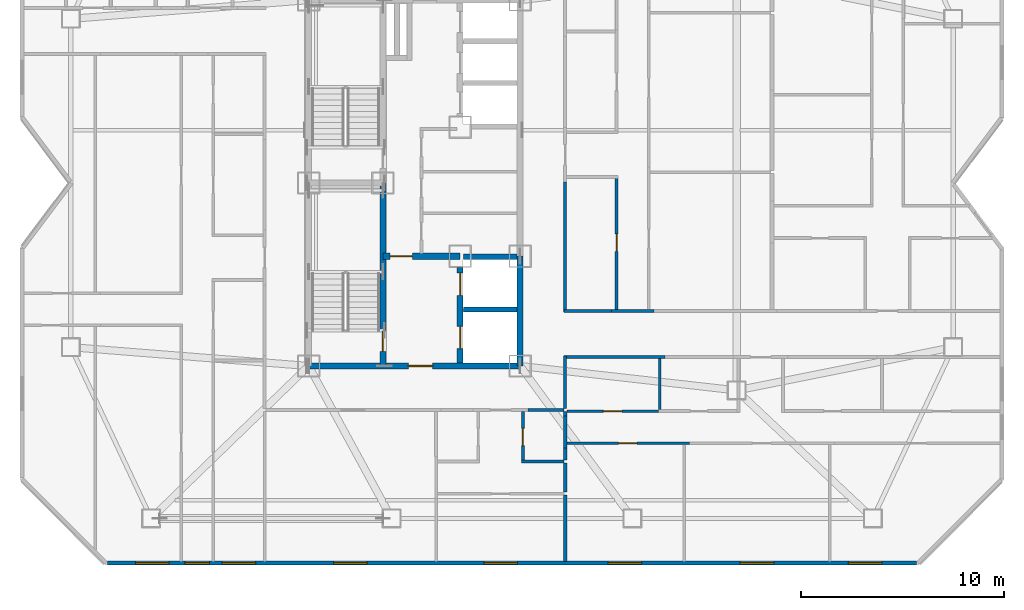
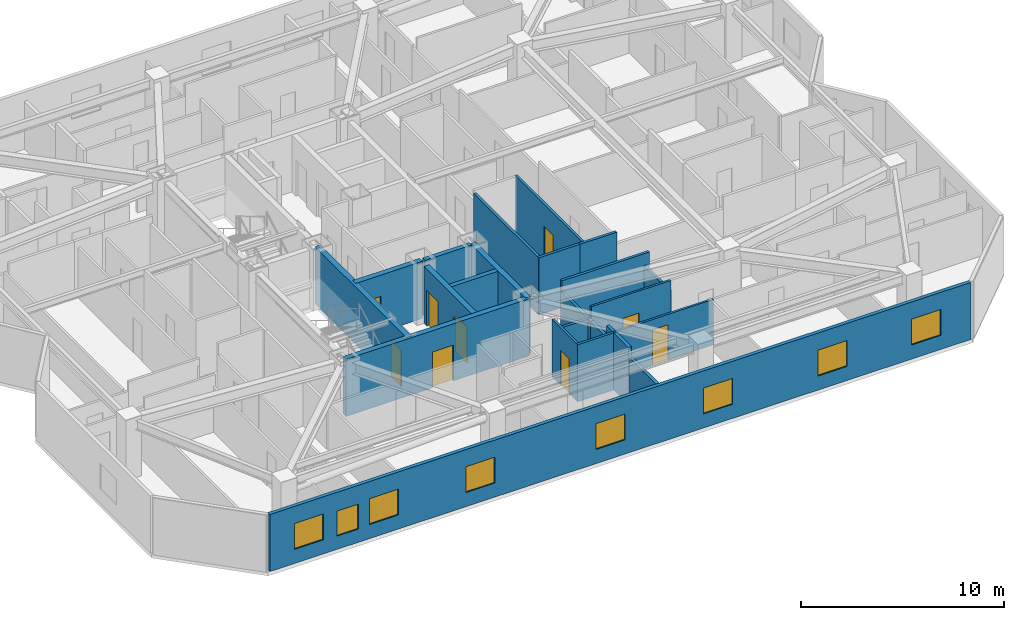
# One storey, part 6 of 13: 25 walls, 9 doors, 8 windows, 17 openings.
"""IFC4 building model written with IfcOpenShell, lengths in metres."""

import ifcopenshell
import ifcopenshell.guid

model = None  # the IFC model being written
_history = None  # IfcOwnerHistory: only IFC2X3 demands one
_inside = {}  # id of a spatial element -> (the spatial element, [elements in it])
_under = {}  # id of a project, library or spatial element -> (it, [spatial elements below it])
_declared = {}  # id of a project -> (the project, [libraries it declares])
_typed = {}  # id of a type object -> (the type object, [elements of that type])
_made_of = {}  # id of a material, layer set ... -> (it, [elements and type objects made of it])


def new_model(schema):
    """Start an empty IFC model of exactly this schema.

    Asked for "IFC4X3", IfcOpenShell would pick the latest addendum, in which some entities
    have other attributes; the version numbers below select the first issue.
    IFC2X3 requires an IfcOwnerHistory on every rooted entity: one is made here for all.
    """
    global model, _history
    if schema == "IFC4X3":
        model = ifcopenshell.file(schema_version=(4, 3, 0, 0))
    else:
        model = ifcopenshell.file(schema=schema)
    _inside.clear()
    _under.clear()
    _declared.clear()
    _typed.clear()
    _made_of.clear()
    _history = None
    if model.schema == "IFC2X3":
        org = make("IfcOrganization", Name="unknown")
        user = make(
            "IfcPersonAndOrganization",
            ThePerson=make("IfcPerson", FamilyName="unknown"),
            TheOrganization=org,
        )
        app = make(
            "IfcApplication",
            ApplicationDeveloper=org,
            Version="unknown",
            ApplicationFullName="unknown",
            ApplicationIdentifier="unknown",
        )
        _history = make(
            "IfcOwnerHistory",
            OwningUser=user,
            OwningApplication=app,
            ChangeAction="ADDED",
            CreationDate=0,
        )
    return model


def make(cls, **values):
    """One entity of the class cls with the attributes given. An attribute that is None is left unset."""
    return model.create_entity(
        cls, **{name: value for name, value in values.items() if value is not None}
    )


def rooted(cls, **values):
    """An entity with a GlobalId (a new one), such as an element, a storey or a relation."""
    return make(cls, GlobalId=ifcopenshell.guid.new(), OwnerHistory=_history, **values)


def si_unit(unit_type, name, prefix=None):
    """IfcSIUnit, for example si_unit("LENGTHUNIT", "METRE", prefix="MILLI")."""
    return make("IfcSIUnit", UnitType=unit_type, Prefix=prefix, Name=name)


def assignment(units):
    """IfcUnitAssignment: the units of a project."""
    return None if units is None else make("IfcUnitAssignment", Units=units)


def point(xyz):
    """IfcCartesianPoint."""
    return None if xyz is None else make("IfcCartesianPoint", Coordinates=xyz)


def direction(xyz):
    """IfcDirection."""
    return None if xyz is None else make("IfcDirection", DirectionRatios=xyz)


def frame(location, z_axis=None, x_axis=None):
    """IfcAxis2Placement3D, a coordinate frame: its origin and axes. An axis left out is left unset."""
    return make(
        "IfcAxis2Placement3D",
        Location=point(location),
        Axis=direction(z_axis),
        RefDirection=direction(x_axis),
    )


def frame_2d(location, x_axis=None):
    """IfcAxis2Placement2D, a coordinate frame in the plane: its origin and x axis."""
    return make(
        "IfcAxis2Placement2D", Location=point(location), RefDirection=direction(x_axis)
    )


def origin():
    """The frame at (0, 0, 0) with its axes left unset."""
    return frame((0.0, 0.0, 0.0))


def place(relative_to, where):
    """IfcLocalPlacement: puts the frame where relative to a parent placement (None: the world)."""
    return make(
        "IfcLocalPlacement", PlacementRelTo=relative_to, RelativePlacement=where
    )


def context(
    kind, dimensions, precision=None, world=None, true_north=None, identifier=None
):
    """IfcGeometricRepresentationContext, for example the 3D "Model" context."""
    return make(
        "IfcGeometricRepresentationContext",
        ContextIdentifier=identifier,
        ContextType=kind,
        CoordinateSpaceDimension=dimensions,
        Precision=precision,
        WorldCoordinateSystem=world,
        TrueNorth=true_north,
    )


def subcontext(parent, identifier, kind, view, scale=None):
    """IfcGeometricRepresentationSubContext, for example "Body" below "Model"."""
    return make(
        "IfcGeometricRepresentationSubContext",
        ContextIdentifier=identifier,
        ContextType=kind,
        ParentContext=parent,
        TargetScale=scale,
        TargetView=view,
    )


def project(units=None, contexts=None):
    """IfcProject with its units and contexts."""
    return rooted(
        "IfcProject",
        Name="project",
        RepresentationContexts=contexts,
        UnitsInContext=assignment(units),
    )


def spatial(cls, under=None, at=None, **own):
    """A site, building, storey or space (cls), placed at a placement, below another one or the project."""
    s = rooted(cls, ObjectPlacement=at, **own)
    if under is not None:
        _under.setdefault(under.id(), (under, []))[1].append(s)
    return s


def profile(cls, at=None, kind="AREA", **sizes):
    """A parametric profile (cls). Its sizes go by their IFC names, for example OverallWidth=200.0."""
    return make(cls, ProfileType=kind, Position=at, **sizes)


def rectangle(**sizes):
    """IfcRectangleProfileDef."""
    return profile("IfcRectangleProfileDef", **sizes)


def extrude(swept, where, along, depth):
    """IfcExtrudedAreaSolid: the profile swept, set in the frame where, extruded along a direction by depth."""
    return make(
        "IfcExtrudedAreaSolid",
        SweptArea=swept,
        Position=where,
        ExtrudedDirection=direction(along),
        Depth=depth,
    )


def shape(context_of_items, identifier, shape_type, items):
    """IfcShapeRepresentation: the items that make up one representation, for example the "Body"."""
    return make(
        "IfcShapeRepresentation",
        ContextOfItems=context_of_items,
        RepresentationIdentifier=identifier,
        RepresentationType=shape_type,
        Items=items,
    )


def material(Name=None, Category=None):
    """IfcMaterial."""
    return make("IfcMaterial", Name=Name, Category=Category)


def layer(
    of_material, thickness, ventilated=None, Name=None, Category=None, Priority=None
):
    """IfcMaterialLayer: one layer of a wall or slab, of a material (None: an air gap)."""
    return make(
        "IfcMaterialLayer",
        Material=of_material,
        LayerThickness=thickness,
        IsVentilated=ventilated,
        Name=Name,
        Category=Category,
        Priority=Priority,
    )


def layer_set(layers, Name=None):
    """IfcMaterialLayerSet."""
    return make("IfcMaterialLayerSet", MaterialLayers=layers, LayerSetName=Name)


def made_of(thing, what):
    """Note that an element or type object is made of a material, layer set ...; save() writes the relation."""
    if what is not None:
        _made_of.setdefault(what.id(), (what, []))[1].append(thing)
    return thing


def type_object(cls, material=None, **own):
    """A type object (cls), such as IfcWallType, which elements share."""
    return made_of(rooted(cls, **own), material)


def element(
    cls,
    number,
    at=None,
    inside=None,
    cuts=None,
    type_object=None,
    material=None,
    context=None,
    identifier="Body",
    shape_type=None,
    held_by="IfcProductDefinitionShape",
    body=None,
    shapes=None,
    **own,
):
    """One element of the class cls, such as IfcWall. Its Tag is "e" and its number.

    at: its placement. inside: the storey or other place that contains it. cuts: it is an
    opening in that element (IfcRelVoidsElement). A single representation is given by context,
    identifier, shape_type and body (its items); several are given by shapes. held_by: the class
    of the entity that holds the representations. save() writes the other relations.
    """
    e = rooted(cls, Tag="e%d" % number, ObjectPlacement=at, **own)
    if body is not None:
        shapes = [shape(context, identifier, shape_type, body)]
    if shapes is not None:
        e.Representation = make(held_by, Representations=shapes)
    if inside is not None:
        _inside.setdefault(inside.id(), (inside, []))[1].append(e)
    if cuts is not None:
        rooted(
            "IfcRelVoidsElement", RelatingBuildingElement=cuts, RelatedOpeningElement=e
        )
    if type_object is not None:
        _typed.setdefault(type_object.id(), (type_object, []))[1].append(e)
    return made_of(e, material)


def fill(opening, filler):
    """IfcRelFillsElement: the door or window that sits in an opening."""
    return rooted(
        "IfcRelFillsElement",
        RelatingOpeningElement=opening,
        RelatedBuildingElement=filler,
    )


def aggregate(whole, parts):
    """IfcRelAggregates: a whole, such as a stair, and the parts it consists of."""
    return rooted("IfcRelAggregates", RelatingObject=whole, RelatedObjects=parts)


def save(model, path):
    """Write the relations noted so far, then the file.

    IfcRelAggregates (storeys below a building ...), IfcRelContainedInSpatialStructure (elements
    in a storey), IfcRelDefinesByType, IfcRelAssociatesMaterial and IfcRelDeclares: one each for
    every whole, place, type object, material and project.
    """
    for whole, parts in _under.values():
        aggregate(whole, parts)
    for where, things in _inside.values():
        rooted(
            "IfcRelContainedInSpatialStructure",
            RelatedElements=things,
            RelatingStructure=where,
        )
    for kind, things in _typed.values():
        rooted("IfcRelDefinesByType", RelatedObjects=things, RelatingType=kind)
    for what, things in _made_of.values():
        rooted("IfcRelAssociatesMaterial", RelatedObjects=things, RelatingMaterial=what)
    for by, libraries in _declared.values():
        rooted("IfcRelDeclares", RelatingContext=by, RelatedDefinitions=libraries)
    model.write(path)


model = new_model("IFC4")

# Units and contexts
model_context = context("Model", 3, precision=1e-05, world=origin(), true_north=direction((0.0, 1.0)))
body_context = subcontext(model_context, "Body", "Model", "MODEL_VIEW")
ifc_project = project(units=[si_unit("LENGTHUNIT", "METRE"), si_unit("AREAUNIT", "SQUARE_METRE"), si_unit("VOLUMEUNIT", "CUBIC_METRE"), si_unit("PLANEANGLEUNIT", "RADIAN"), si_unit("MASSUNIT", "GRAM", prefix="KILO")], contexts=[model_context])

# Site, building, storey
site_placement = place(None, origin())
site = spatial("IfcSite", under=ifc_project, at=site_placement, CompositionType="ELEMENT")
building_placement = place(site_placement, origin())
building = spatial("IfcBuilding", under=site, at=building_placement, Name="Khamvora Tower", CompositionType="ELEMENT")
storey_placement = place(building_placement, frame((0.0, 0.0, 196.050048828125)))
storey = spatial("IfcBuildingStorey", under=building, at=storey_placement, Name="L50", CompositionType="ELEMENT", Elevation=196.050048828125)

# Wall, opening, door
ifc_material_1 = material(Name="Concrete C50/60", Category="concrete")
ifc_layer_1 = layer(ifc_material_1, 0.300048828125)
ifc_layer_set_1 = layer_set([ifc_layer_1], Name="Concrete C50/60")
wall_type_1 = type_object("IfcWallType", Name="WAL-CORE-300", PredefinedType="SHEAR", material=ifc_layer_set_1)
wall_1_placement = place(storey_placement, frame((29.0, 19.0, 0.0), z_axis=(0.0, 0.0, 1.0), x_axis=(1.0, 0.0, 0.0)))
wall_1 = element("IfcWall", 1, at=wall_1_placement, inside=storey, type_object=wall_type_1, Name="L50 central core south wall", PredefinedType="SHEAR", context=body_context, shape_type="SweptSolid", body=[
    extrude(rectangle(XDim=10.39990234375, YDim=0.300048828125, at=frame_2d((5.199951171875, 0.0))), origin(), (0.0, 0.0, 1.0), 3.429931640625),
])
opening_1_placement = place(wall_1_placement, frame((4.89990234375, 0.0, 0.0)))
opening_1 = element("IfcOpeningElement", 2, at=opening_1_placement, cuts=wall_1, Name="Opening D-CR1", PredefinedType="OPENING", context=body_context, shape_type="SweptSolid", body=[
    extrude(rectangle(XDim=1.199951171875, YDim=2.14990234375, at=frame_2d((0.60009765625, 1.074951171875))), frame((0.0, 0.159912109375, 0.0), z_axis=(0.0, -1.0, 0.0), x_axis=(1.0, 0.0, 0.0)), (0.0, 0.0, 1.0), 0.320068359375),
])
ifc_material_2 = material(Name="Powder-Coated Steel and Hardwood Leaf", Category="steel")
door_type_1 = type_object("IfcDoorType", Name="DOR-CORR-1200", OperationType="NOTDEFINED", PredefinedType="DOOR", material=ifc_material_2)
door_1_placement = place(opening_1_placement, origin())
door_1 = element("IfcDoor", 3, at=door_1_placement, inside=storey, type_object=door_type_1, Name="L50 south core lobby to corridor fire door", OperationType="SINGLE_SWING_LEFT", OverallHeight=2.14990234375, OverallWidth=1.199951171875, PredefinedType="DOOR", context=body_context, shape_type="SweptSolid", body=[
    extrude(rectangle(XDim=1.199951171875, YDim=2.14990234375, at=frame_2d((0.60009765625, 1.074951171875))), frame((0.0, 0.02490234375, 0.0), z_axis=(0.0, -1.0, 0.0), x_axis=(1.0, 0.0, 0.0)), (0.0, 0.0, 1.0), 0.050048828125),
])
fill(opening_1, door_1)

# Wall
wall_2_placement = place(storey_placement, frame((39.39990234375, 19.0, 0.0), z_axis=(0.0, 0.0, 1.0), x_axis=(0.0, 1.0, 0.0)))
element("IfcWall", 4, at=wall_2_placement, inside=storey, type_object=wall_type_1, Name="L50 central core east south wall", PredefinedType="SHEAR", context=body_context, shape_type="SweptSolid", body=[
    extrude(rectangle(XDim=5.39990234375, YDim=0.300048828125, at=frame_2d((2.699951171875, 0.0))), origin(), (0.0, 0.0, 1.0), 3.429931640625),
])

# Wall, opening, door
wall_3_placement = place(storey_placement, frame((32.64990234375, 19.0, 0.0), z_axis=(0.0, 0.0, 1.0), x_axis=(0.0, 1.0, 0.0)))
wall_3 = element("IfcWall", 5, at=wall_3_placement, inside=storey, type_object=wall_type_1, Name="L50 central core stair south spine wall", PredefinedType="SHEAR", context=body_context, shape_type="SweptSolid", body=[
    extrude(rectangle(XDim=9.0, YDim=0.300048828125, at=frame_2d((4.5, 0.0))), origin(), (0.0, 0.0, 1.0), 3.429931640625),
])
opening_2_placement = place(wall_3_placement, frame((0.719970703125, 0.0, 0.0)))
opening_2 = element("IfcOpeningElement", 6, at=opening_2_placement, cuts=wall_3, Name="Opening D-ST1", PredefinedType="OPENING", context=body_context, shape_type="SweptSolid", body=[
    extrude(rectangle(XDim=1.0, YDim=2.14990234375, at=frame_2d((0.5, 1.074951171875))), frame((0.0, 0.159912109375, 0.0), z_axis=(0.0, -1.0, 0.0), x_axis=(1.0, 0.0, 0.0)), (0.0, 0.0, 1.0), 0.320068359375),
])
door_type_2 = type_object("IfcDoorType", Name="DOR-STAIR-1000", OperationType="NOTDEFINED", PredefinedType="DOOR", material=ifc_material_2)
door_2_placement = place(opening_2_placement, origin())
door_2 = element("IfcDoor", 7, at=door_2_placement, inside=storey, type_object=door_type_2, Name="L50 exit stair ST-01 fire door", OperationType="SINGLE_SWING_RIGHT", OverallHeight=2.14990234375, OverallWidth=1.0, PredefinedType="DOOR", context=body_context, shape_type="SweptSolid", body=[
    extrude(rectangle(XDim=1.0, YDim=2.14990234375, at=frame_2d((0.5, 1.074951171875))), frame((0.0, 0.02490234375, 0.0), z_axis=(0.0, -1.0, 0.0), x_axis=(1.0, 0.0, 0.0)), (0.0, 0.0, 1.0), 0.050048828125),
])
fill(opening_2, door_2)

wall_4_placement = place(storey_placement, frame((32.64990234375, 24.39990234375, 0.0), z_axis=(0.0, 0.0, 1.0), x_axis=(1.0, 0.0, 0.0)))
wall_4 = element("IfcWall", 8, at=wall_4_placement, inside=storey, type_object=wall_type_1, Name="L50 central core firefighting lobby north wall", PredefinedType="SHEAR", context=body_context, shape_type="SweptSolid", body=[
    extrude(rectangle(XDim=3.800048828125, YDim=0.300048828125, at=frame_2d((1.89990234375, 0.0))), origin(), (0.0, 0.0, 1.0), 3.429931640625),
])
opening_3_placement = place(wall_4_placement, frame((0.35009765625, 0.0, 0.0)))
opening_3 = element("IfcOpeningElement", 9, at=opening_3_placement, cuts=wall_4, Name="Opening D-FF1", PredefinedType="OPENING", context=body_context, shape_type="SweptSolid", body=[
    extrude(rectangle(XDim=1.10009765625, YDim=2.14990234375, at=frame_2d((0.550048828125, 1.074951171875))), frame((0.0, 0.159912109375, 0.0), z_axis=(0.0, -1.0, 0.0), x_axis=(1.0, 0.0, 0.0)), (0.0, 0.0, 1.0), 0.320068359375),
])
door_type_3 = type_object("IfcDoorType", Name="DOR-FFLOB-1100", OperationType="NOTDEFINED", PredefinedType="DOOR", material=ifc_material_2)
door_3_placement = place(opening_3_placement, origin())
door_3 = element("IfcDoor", 10, at=door_3_placement, inside=storey, type_object=door_type_3, Name="L50 firefighting lobby smoke-seal fire door", OperationType="SINGLE_SWING_RIGHT", OverallHeight=2.14990234375, OverallWidth=1.10009765625, PredefinedType="DOOR", context=body_context, shape_type="SweptSolid", body=[
    extrude(rectangle(XDim=1.10009765625, YDim=2.14990234375, at=frame_2d((0.550048828125, 1.074951171875))), frame((0.0, 0.02490234375, 0.0), z_axis=(0.0, -1.0, 0.0), x_axis=(1.0, 0.0, 0.0)), (0.0, 0.0, 1.0), 0.050048828125),
])
fill(opening_3, door_3)

# Wall, openings, doors
wall_5_placement = place(storey_placement, frame((36.449951171875, 19.154052734375, 0.0), z_axis=(0.0, 0.0, 1.0), x_axis=(0.0, 1.0, 0.0)))
wall_5 = element("IfcWall", 11, at=wall_5_placement, inside=storey, type_object=wall_type_1, Name="L50 central core lift bank south wall", PredefinedType="SHEAR", context=body_context, shape_type="SweptSolid", body=[
    extrude(rectangle(XDim=4.696044921875, YDim=0.300048828125, at=frame_2d((2.34814453125, 0.0))), origin(), (0.0, 0.0, 1.0), 3.429931640625),
])
opening_4_placement = place(wall_5_placement, frame((0.696044921875, 0.0, 0.0)))
opening_4 = element("IfcOpeningElement", 12, at=opening_4_placement, cuts=wall_5, Name="Opening LD-FFL", PredefinedType="OPENING", context=body_context, shape_type="SweptSolid", body=[
    extrude(rectangle(XDim=1.10009765625, YDim=2.14990234375, at=frame_2d((0.550048828125, 1.074951171875))), frame((0.0, 0.159912109375, 0.0), z_axis=(0.0, -1.0, 0.0), x_axis=(1.0, 0.0, 0.0)), (0.0, 0.0, 1.0), 0.320068359375),
])
opening_5_placement = place(wall_5_placement, frame((3.31591796875, 0.0, 0.0)))
opening_5 = element("IfcOpeningElement", 13, at=opening_5_placement, cuts=wall_5, Name="Opening LD-FFL", PredefinedType="OPENING", context=body_context, shape_type="SweptSolid", body=[
    extrude(rectangle(XDim=1.10009765625, YDim=2.14990234375, at=frame_2d((0.550048828125, 1.074951171875))), frame((0.0, 0.159912109375, 0.0), z_axis=(0.0, -1.0, 0.0), x_axis=(1.0, 0.0, 0.0)), (0.0, 0.0, 1.0), 0.320068359375),
])
door_type_4 = type_object("IfcDoorType", Name="DOR-LIFT-1100", OperationType="SLIDING_TO_LEFT", PredefinedType="DOOR", material=ifc_material_2)
door_4_placement = place(opening_4_placement, origin())
door_4 = element("IfcDoor", 14, at=door_4_placement, inside=storey, type_object=door_type_4, Name="L50 lift landing sliding door FFL-01", OperationType="SLIDING_TO_LEFT", OverallHeight=2.14990234375, OverallWidth=1.10009765625, PredefinedType="DOOR", context=body_context, shape_type="SweptSolid", body=[
    extrude(rectangle(XDim=1.10009765625, YDim=2.14990234375, at=frame_2d((0.550048828125, 1.074951171875))), frame((0.0, 0.02490234375, 0.0), z_axis=(0.0, -1.0, 0.0), x_axis=(1.0, 0.0, 0.0)), (0.0, 0.0, 1.0), 0.050048828125),
])
fill(opening_4, door_4)
door_5_placement = place(opening_5_placement, origin())
door_5 = element("IfcDoor", 15, at=door_5_placement, inside=storey, type_object=door_type_4, Name="L50 lift landing sliding door FFL-02", OperationType="SLIDING_TO_LEFT", OverallHeight=2.14990234375, OverallWidth=1.10009765625, PredefinedType="DOOR", context=body_context, shape_type="SweptSolid", body=[
    extrude(rectangle(XDim=1.10009765625, YDim=2.14990234375, at=frame_2d((0.550048828125, 1.074951171875))), frame((0.0, 0.02490234375, 0.0), z_axis=(0.0, -1.0, 0.0), x_axis=(1.0, 0.0, 0.0)), (0.0, 0.0, 1.0), 0.050048828125),
])
fill(opening_5, door_5)

# Walls
ifc_material_3 = material(Name="Fire-Rated Drywall and Steel Stud", Category="steel")
ifc_layer_2 = layer(ifc_material_3, 0.14990234375)
ifc_layer_set_2 = layer_set([ifc_layer_2], Name="Fire-Rated Drywall and Steel Stud")
wall_type_2 = type_object("IfcWallType", Name="WAL-CORR-150", PredefinedType="STANDARD", material=ifc_layer_set_2)
wall_6_placement = place(storey_placement, frame((41.550048828125, 16.8349609375, 0.0), z_axis=(0.0, 0.0, 1.0), x_axis=(-1.0, 0.0, 0.0)))
element("IfcWall", 16, at=wall_6_placement, inside=storey, type_object=wall_type_2, Name="L50 interior partition wall 024", PredefinedType="STANDARD", context=body_context, shape_type="SweptSolid", body=[
    extrude(rectangle(XDim=1.760986328125, YDim=0.14990234375, at=frame_2d((0.88037109375, 0.0))), origin(), (0.0, 0.0, 1.0), 2.724853515625),
])
wall_7_placement = place(storey_placement, frame((46.51904296875, 19.43505859375, 0.0), z_axis=(0.0, 0.0, 1.0), x_axis=(-1.0, 0.0, 0.0)))
element("IfcWall", 17, at=wall_7_placement, inside=storey, type_object=wall_type_2, Name="L50 interior partition wall 028", PredefinedType="STANDARD", context=body_context, shape_type="SweptSolid", body=[
    extrude(rectangle(XDim=4.968994140625, YDim=0.14990234375, at=frame_2d((2.484375, 0.0))), origin(), (0.0, 0.0, 1.0), 3.429931640625),
])
wall_8_placement = place(storey_placement, frame((41.614990234375, 19.5, 0.0), z_axis=(0.0, 0.0, 1.0), x_axis=(0.0, -1.0, 0.0)))
element("IfcWall", 18, at=wall_8_placement, inside=storey, type_object=wall_type_2, Name="L50 interior partition wall 029", PredefinedType="STANDARD", context=body_context, shape_type="SweptSolid", body=[
    extrude(rectangle(XDim=2.60009765625, YDim=0.14990234375, at=frame_2d((1.300048828125, 0.0))), origin(), (0.0, 0.0, 1.0), 2.724853515625),
])
wall_9_placement = place(storey_placement, frame((43.89599609375, 21.715087890625, 0.0), z_axis=(0.0, 0.0, 1.0), x_axis=(1.0, 0.0, 0.0)))
element("IfcWall", 19, at=wall_9_placement, inside=storey, type_object=wall_type_2, Name="L50 interior partition wall 036", PredefinedType="STANDARD", context=body_context, shape_type="SweptSolid", body=[
    extrude(rectangle(XDim=2.078125, YDim=0.14990234375, at=frame_2d((1.0390625, 0.0))), origin(), (0.0, 0.0, 1.0), 3.429931640625),
])
wall_10_placement = place(storey_placement, frame((41.614990234375, 28.0419921875, 0.0), z_axis=(0.0, 0.0, 1.0), x_axis=(0.0, -1.0, 0.0)))
element("IfcWall", 20, at=wall_10_placement, inside=storey, type_object=wall_type_2, Name="L50 interior partition wall 038", PredefinedType="STANDARD", context=body_context, shape_type="SweptSolid", body=[
    extrude(rectangle(XDim=6.39208984375, YDim=0.14990234375, at=frame_2d((3.196044921875, 0.0))), origin(), (0.0, 0.0, 1.0), 3.429931640625),
])
wall_11_placement = place(storey_placement, frame((41.550048828125, 21.715087890625, 0.0), z_axis=(0.0, 0.0, 1.0), x_axis=(1.0, 0.0, 0.0)))
element("IfcWall", 21, at=wall_11_placement, inside=storey, type_object=wall_type_2, Name="L50 interior partition wall 039", PredefinedType="STANDARD", context=body_context, shape_type="SweptSolid", body=[
    extrude(rectangle(XDim=2.345947265625, YDim=0.14990234375, at=frame_2d((1.1728515625, 0.0))), origin(), (0.0, 0.0, 1.0), 3.429931640625),
])
ifc_material_4 = material(Name="Acoustic Double-Stud Fire Wall", Category="gypsum")
ifc_layer_3 = layer(ifc_material_4, 0.179931640625)
ifc_layer_set_3 = layer_set([ifc_layer_3], Name="Acoustic Double-Stud Fire Wall")
wall_type_3 = type_object("IfcWallType", Name="WAL-CORR-180", PredefinedType="STANDARD", material=ifc_layer_set_3)
wall_12_placement = place(storey_placement, frame((41.614990234375, 14.239990234375, 0.0), z_axis=(0.0, 0.0, 1.0), x_axis=(0.0, -1.0, 0.0)))
element("IfcWall", 22, at=wall_12_placement, inside=storey, type_object=wall_type_3, Name="L50 interior partition wall 087", PredefinedType="STANDARD", context=body_context, shape_type="SweptSolid", body=[
    extrude(rectangle(XDim=1.449951171875, YDim=0.179931640625, at=frame_2d((0.72509765625, 0.0))), origin(), (0.0, 0.0, 1.0), 3.429931640625),
])
wall_13_placement = place(storey_placement, frame((41.614990234375, 16.77001953125, 0.0), z_axis=(0.0, 0.0, 1.0), x_axis=(0.0, -1.0, 0.0)))
element("IfcWall", 23, at=wall_13_placement, inside=storey, type_object=wall_type_3, Name="L50 interior partition wall 088", PredefinedType="STANDARD", context=body_context, shape_type="SweptSolid", body=[
    extrude(rectangle(XDim=0.235107421875, YDim=0.179931640625, at=frame_2d((0.11767578125, 0.0))), origin(), (0.0, 0.0, 1.0), 2.724853515625),
])
wall_14_placement = place(storey_placement, frame((41.614990234375, 16.534912109375, 0.0), z_axis=(0.0, 0.0, 1.0), x_axis=(0.0, -1.0, 0.0)))
element("IfcWall", 24, at=wall_14_placement, inside=storey, type_object=wall_type_3, Name="L50 interior partition wall 089", PredefinedType="STANDARD", context=body_context, shape_type="SweptSolid", body=[
    extrude(rectangle(XDim=1.579833984375, YDim=0.179931640625, at=frame_2d((0.7900390625, 0.0))), origin(), (0.0, 0.0, 1.0), 2.724853515625),
])
wall_15_placement = place(storey_placement, frame((41.614990234375, 14.955078125, 0.0), z_axis=(0.0, 0.0, 1.0), x_axis=(0.0, -1.0, 0.0)))
element("IfcWall", 25, at=wall_15_placement, inside=storey, type_object=wall_type_3, Name="L50 interior partition wall 090", PredefinedType="STANDARD", context=body_context, shape_type="SweptSolid", body=[
    extrude(rectangle(XDim=0.5849609375, YDim=0.179931640625, at=frame_2d((0.29248046875, 0.0))), origin(), (0.0, 0.0, 1.0), 3.429931640625),
])
wall_16_placement = place(storey_placement, frame((41.614990234375, 12.659912109375, 0.0), z_axis=(0.0, 0.0, 1.0), x_axis=(0.0, -1.0, 0.0)))
element("IfcWall", 26, at=wall_16_placement, inside=storey, type_object=wall_type_3, Name="L50 interior partition wall 091", PredefinedType="STANDARD", context=body_context, shape_type="SweptSolid", body=[
    extrude(rectangle(XDim=3.267822265625, YDim=0.179931640625, at=frame_2d((1.6337890625, 0.0))), origin(), (0.0, 0.0, 1.0), 2.8759765625),
])

# Wall, openings, windows
ifc_material_5 = material(Name="Precast concrete C40/50", Category="concrete")
ifc_layer_4 = layer(ifc_material_5, 0.199951171875)
ifc_layer_set_4 = layer_set([ifc_layer_4], Name="Precast concrete C40/50")
wall_type_4 = type_object("IfcWallType", Name="WAL-EXT-200", PredefinedType="STANDARD", material=ifc_layer_set_4)
wall_17_placement = place(storey_placement, frame((58.89599609375, 9.300048828125, 0.0), z_axis=(0.0, 0.0, 1.0), x_axis=(-1.0, 0.0, 0.0)))
wall_17 = element("IfcWall", 27, at=wall_17_placement, inside=storey, type_object=wall_type_4, Name="L50 exterior facade wall 14.1", PredefinedType="STANDARD", context=body_context, shape_type="SweptSolid", body=[
    extrude(rectangle(XDim=39.79296875, YDim=0.199951171875, at=frame_2d((19.896484375, 0.0))), origin(), (0.0, 0.0, 1.0), 3.429931640625),
])
opening_6_placement = place(wall_17_placement, frame((27.02099609375, 0.0, 0.85009765625)))
opening_6 = element("IfcOpeningElement", 28, at=opening_6_placement, cuts=wall_17, Name="Opening WN-06", PredefinedType="OPENING", context=body_context, shape_type="SweptSolid", body=[
    extrude(rectangle(XDim=1.64990234375, YDim=1.550048828125, at=frame_2d((0.824951171875, 0.77490234375))), frame((0.0, 0.10986328125, 0.0), z_axis=(0.0, -1.0, 0.0), x_axis=(1.0, 0.0, 0.0)), (0.0, 0.0, 1.0), 0.219970703125),
])
opening_7_placement = place(wall_17_placement, frame((32.5009765625, 0.0, 0.85009765625)))
opening_7 = element("IfcOpeningElement", 29, at=opening_7_placement, cuts=wall_17, Name="Opening WN-06", PredefinedType="OPENING", context=body_context, shape_type="SweptSolid", body=[
    extrude(rectangle(XDim=1.64990234375, YDim=1.550048828125, at=frame_2d((0.824951171875, 0.77490234375))), frame((0.0, 0.10986328125, 0.0), z_axis=(0.0, -1.0, 0.0), x_axis=(1.0, 0.0, 0.0)), (0.0, 0.0, 1.0), 0.219970703125),
])
opening_8_placement = place(wall_17_placement, frame((34.781005859375, 0.0, 0.800048828125)))
opening_8 = element("IfcOpeningElement", 30, at=opening_8_placement, cuts=wall_17, Name="Opening WN-03", PredefinedType="OPENING", context=body_context, shape_type="SweptSolid", body=[
    extrude(rectangle(XDim=1.199951171875, YDim=1.5, at=frame_2d((0.60009765625, 0.75))), frame((0.0, 0.10986328125, 0.0), z_axis=(0.0, -1.0, 0.0), x_axis=(1.0, 0.0, 0.0)), (0.0, 0.0, 1.0), 0.219970703125),
])
opening_9_placement = place(wall_17_placement, frame((36.764892578125, 0.0, 0.85009765625)))
opening_9 = element("IfcOpeningElement", 31, at=opening_9_placement, cuts=wall_17, Name="Opening WN-06", PredefinedType="OPENING", context=body_context, shape_type="SweptSolid", body=[
    extrude(rectangle(XDim=1.64990234375, YDim=1.550048828125, at=frame_2d((0.824951171875, 0.77490234375))), frame((0.0, 0.10986328125, 0.0), z_axis=(0.0, -1.0, 0.0), x_axis=(1.0, 0.0, 0.0)), (0.0, 0.0, 1.0), 0.219970703125),
])
opening_10_placement = place(wall_17_placement, frame((19.631103515625, 0.0, 0.85009765625)))
opening_10 = element("IfcOpeningElement", 32, at=opening_10_placement, cuts=wall_17, Name="Opening WN-06", PredefinedType="OPENING", context=body_context, shape_type="SweptSolid", body=[
    extrude(rectangle(XDim=1.64990234375, YDim=1.550048828125, at=frame_2d((0.824951171875, 0.77490234375))), frame((0.0, 0.10986328125, 0.0), z_axis=(0.0, -1.0, 0.0), x_axis=(1.0, 0.0, 0.0)), (0.0, 0.0, 1.0), 0.219970703125),
])
opening_11_placement = place(wall_17_placement, frame((13.52197265625, 0.0, 0.85009765625)))
opening_11 = element("IfcOpeningElement", 33, at=opening_11_placement, cuts=wall_17, Name="Opening WN-06", PredefinedType="OPENING", context=body_context, shape_type="SweptSolid", body=[
    extrude(rectangle(XDim=1.64990234375, YDim=1.550048828125, at=frame_2d((0.824951171875, 0.77490234375))), frame((0.0, 0.10986328125, 0.0), z_axis=(0.0, -1.0, 0.0), x_axis=(1.0, 0.0, 0.0)), (0.0, 0.0, 1.0), 0.219970703125),
])
opening_12_placement = place(wall_17_placement, frame((7.02001953125, 0.0, 0.85009765625)))
opening_12 = element("IfcOpeningElement", 34, at=opening_12_placement, cuts=wall_17, Name="Opening WN-06", PredefinedType="OPENING", context=body_context, shape_type="SweptSolid", body=[
    extrude(rectangle(XDim=1.64990234375, YDim=1.550048828125, at=frame_2d((0.824951171875, 0.77490234375))), frame((0.0, 0.10986328125, 0.0), z_axis=(0.0, -1.0, 0.0), x_axis=(1.0, 0.0, 0.0)), (0.0, 0.0, 1.0), 0.219970703125),
])
opening_13_placement = place(wall_17_placement, frame((1.7060546875, 0.0, 0.85009765625)))
opening_13 = element("IfcOpeningElement", 35, at=opening_13_placement, cuts=wall_17, Name="Opening WN-06", PredefinedType="OPENING", context=body_context, shape_type="SweptSolid", body=[
    extrude(rectangle(XDim=1.64990234375, YDim=1.550048828125, at=frame_2d((0.824951171875, 0.77490234375))), frame((0.0, 0.10986328125, 0.0), z_axis=(0.0, -1.0, 0.0), x_axis=(1.0, 0.0, 0.0)), (0.0, 0.0, 1.0), 0.219970703125),
])
ifc_material_6 = material(Name="Low-E Laminated Double Glazing", Category="glass")
window_type_1 = type_object("IfcWindowType", Name="WIN-VIS-1200x1500", PartitioningType="SINGLE_PANEL", PredefinedType="WINDOW", material=ifc_material_6)
window_1_placement = place(opening_8_placement, origin())
window_1 = element("IfcWindow", 36, at=window_1_placement, inside=storey, type_object=window_type_1, Name="L50 vision window 14.1.03", OverallHeight=1.5, OverallWidth=1.199951171875, PartitioningType="SINGLE_PANEL", PredefinedType="WINDOW", context=body_context, shape_type="SweptSolid", body=[
    extrude(rectangle(XDim=1.199951171875, YDim=1.5, at=frame_2d((0.60009765625, 0.75))), frame((0.0, 0.030029296875, 0.0), z_axis=(0.0, -1.0, 0.0), x_axis=(1.0, 0.0, 0.0)), (0.0, 0.0, 1.0), 0.06005859375),
])
fill(opening_8, window_1)
window_type_2 = type_object("IfcWindowType", Name="WIN-VIS-1650x1550", PartitioningType="SINGLE_PANEL", PredefinedType="WINDOW", material=ifc_material_6)
window_2_placement = place(opening_6_placement, origin())
window_2 = element("IfcWindow", 37, at=window_2_placement, inside=storey, type_object=window_type_2, Name="L50 vision window 14.1.01", OverallHeight=1.550048828125, OverallWidth=1.64990234375, PartitioningType="SINGLE_PANEL", PredefinedType="WINDOW", context=body_context, shape_type="SweptSolid", body=[
    extrude(rectangle(XDim=1.64990234375, YDim=1.550048828125, at=frame_2d((0.824951171875, 0.77490234375))), frame((0.0, 0.030029296875, 0.0), z_axis=(0.0, -1.0, 0.0), x_axis=(1.0, 0.0, 0.0)), (0.0, 0.0, 1.0), 0.06005859375),
])
fill(opening_6, window_2)
window_3_placement = place(opening_7_placement, origin())
window_3 = element("IfcWindow", 38, at=window_3_placement, inside=storey, type_object=window_type_2, Name="L50 vision window 14.1.02", OverallHeight=1.550048828125, OverallWidth=1.64990234375, PartitioningType="SINGLE_PANEL", PredefinedType="WINDOW", context=body_context, shape_type="SweptSolid", body=[
    extrude(rectangle(XDim=1.64990234375, YDim=1.550048828125, at=frame_2d((0.824951171875, 0.77490234375))), frame((0.0, 0.030029296875, 0.0), z_axis=(0.0, -1.0, 0.0), x_axis=(1.0, 0.0, 0.0)), (0.0, 0.0, 1.0), 0.06005859375),
])
fill(opening_7, window_3)
window_4_placement = place(opening_9_placement, origin())
window_4 = element("IfcWindow", 39, at=window_4_placement, inside=storey, type_object=window_type_2, Name="L50 vision window 14.1.04", OverallHeight=1.550048828125, OverallWidth=1.64990234375, PartitioningType="SINGLE_PANEL", PredefinedType="WINDOW", context=body_context, shape_type="SweptSolid", body=[
    extrude(rectangle(XDim=1.64990234375, YDim=1.550048828125, at=frame_2d((0.824951171875, 0.77490234375))), frame((0.0, 0.030029296875, 0.0), z_axis=(0.0, -1.0, 0.0), x_axis=(1.0, 0.0, 0.0)), (0.0, 0.0, 1.0), 0.06005859375),
])
fill(opening_9, window_4)
window_5_placement = place(opening_10_placement, origin())
window_5 = element("IfcWindow", 40, at=window_5_placement, inside=storey, type_object=window_type_2, Name="L50 vision window 14.1.05", OverallHeight=1.550048828125, OverallWidth=1.64990234375, PartitioningType="SINGLE_PANEL", PredefinedType="WINDOW", context=body_context, shape_type="SweptSolid", body=[
    extrude(rectangle(XDim=1.64990234375, YDim=1.550048828125, at=frame_2d((0.824951171875, 0.77490234375))), frame((0.0, 0.030029296875, 0.0), z_axis=(0.0, -1.0, 0.0), x_axis=(1.0, 0.0, 0.0)), (0.0, 0.0, 1.0), 0.06005859375),
])
fill(opening_10, window_5)
window_6_placement = place(opening_11_placement, origin())
window_6 = element("IfcWindow", 41, at=window_6_placement, inside=storey, type_object=window_type_2, Name="L50 vision window 14.1.06", OverallHeight=1.550048828125, OverallWidth=1.64990234375, PartitioningType="SINGLE_PANEL", PredefinedType="WINDOW", context=body_context, shape_type="SweptSolid", body=[
    extrude(rectangle(XDim=1.64990234375, YDim=1.550048828125, at=frame_2d((0.824951171875, 0.77490234375))), frame((0.0, 0.030029296875, 0.0), z_axis=(0.0, -1.0, 0.0), x_axis=(1.0, 0.0, 0.0)), (0.0, 0.0, 1.0), 0.06005859375),
])
fill(opening_11, window_6)
window_7_placement = place(opening_12_placement, origin())
window_7 = element("IfcWindow", 42, at=window_7_placement, inside=storey, type_object=window_type_2, Name="L50 vision window 14.1.07", OverallHeight=1.550048828125, OverallWidth=1.64990234375, PartitioningType="SINGLE_PANEL", PredefinedType="WINDOW", context=body_context, shape_type="SweptSolid", body=[
    extrude(rectangle(XDim=1.64990234375, YDim=1.550048828125, at=frame_2d((0.824951171875, 0.77490234375))), frame((0.0, 0.030029296875, 0.0), z_axis=(0.0, -1.0, 0.0), x_axis=(1.0, 0.0, 0.0)), (0.0, 0.0, 1.0), 0.06005859375),
])
fill(opening_12, window_7)
window_8_placement = place(opening_13_placement, origin())
window_8 = element("IfcWindow", 43, at=window_8_placement, inside=storey, type_object=window_type_2, Name="L50 vision window 14.1.08", OverallHeight=1.550048828125, OverallWidth=1.64990234375, PartitioningType="SINGLE_PANEL", PredefinedType="WINDOW", context=body_context, shape_type="SweptSolid", body=[
    extrude(rectangle(XDim=1.64990234375, YDim=1.550048828125, at=frame_2d((0.824951171875, 0.77490234375))), frame((0.0, 0.030029296875, 0.0), z_axis=(0.0, -1.0, 0.0), x_axis=(1.0, 0.0, 0.0)), (0.0, 0.0, 1.0), 0.06005859375),
])
fill(opening_13, window_8)

# Wall, opening, door
ifc_material_7 = material(Name="Gypsum Plasterboard Partition", Category="gypsum")
ifc_layer_5 = layer(ifc_material_7, 0.1201171875)
ifc_layer_set_5 = layer_set([ifc_layer_5], Name="Gypsum Plasterboard Partition")
wall_type_5 = type_object("IfcWallType", Name="WAL-PART-120", PredefinedType="PARTITIONING", material=ifc_layer_set_5)
wall_18_placement = place(storey_placement, frame((46.205078125, 16.783935546875, 0.0), z_axis=(0.0, 0.0, 1.0), x_axis=(-1.0, 0.0, 0.0)))
wall_18 = element("IfcWall", 44, at=wall_18_placement, inside=storey, type_object=wall_type_5, Name="L50 interior partition wall 102", PredefinedType="PARTITIONING", context=body_context, shape_type="SweptSolid", body=[
    extrude(rectangle(XDim=4.509033203125, YDim=0.1201171875, at=frame_2d((2.25439453125, 0.0))), origin(), (0.0, 0.0, 1.0), 3.429931640625),
])
opening_14_placement = place(wall_18_placement, frame((1.804931640625, 0.0, 0.0)))
opening_14 = element("IfcOpeningElement", 45, at=opening_14_placement, cuts=wall_18, Name="Opening D-RM1", PredefinedType="OPENING", context=body_context, shape_type="SweptSolid", body=[
    extrude(rectangle(XDim=0.89990234375, YDim=2.10009765625, at=frame_2d((0.449951171875, 1.050048828125))), frame((0.0, 0.070068359375, 0.0), z_axis=(0.0, -1.0, 0.0), x_axis=(1.0, 0.0, 0.0)), (0.0, 0.0, 1.0), 0.14013671875),
])
door_type_5 = type_object("IfcDoorType", Name="DOR-ROOM-900", OperationType="NOTDEFINED", PredefinedType="DOOR", material=ifc_material_2)
door_6_placement = place(opening_14_placement, origin())
door_6 = element("IfcDoor", 46, at=door_6_placement, inside=storey, type_object=door_type_5, Name="L50 interior door 50EAW1-50EAH", OperationType="SINGLE_SWING_RIGHT", OverallHeight=2.10009765625, OverallWidth=0.89990234375, PredefinedType="DOOR", context=body_context, shape_type="SweptSolid", body=[
    extrude(rectangle(XDim=0.89990234375, YDim=2.10009765625, at=frame_2d((0.449951171875, 1.050048828125))), frame((0.0, 0.02490234375, 0.0), z_axis=(0.0, -1.0, 0.0), x_axis=(1.0, 0.0, 0.0)), (0.0, 0.0, 1.0), 0.050048828125),
])
fill(opening_14, door_6)

wall_19_placement = place(storey_placement, frame((47.73095703125, 15.2041015625, 0.0), z_axis=(0.0, 0.0, 1.0), x_axis=(-1.0, 0.0, 0.0)))
wall_19 = element("IfcWall", 47, at=wall_19_placement, inside=storey, type_object=wall_type_5, Name="L50 interior partition wall 110", PredefinedType="PARTITIONING", context=body_context, shape_type="SweptSolid", body=[
    extrude(rectangle(XDim=6.033935546875, YDim=0.1201171875, at=frame_2d((3.01708984375, 0.0))), origin(), (0.0, 0.0, 1.0), 2.724853515625),
])
opening_15_placement = place(wall_19_placement, frame((2.587890625, 0.0, 0.0)))
opening_15 = element("IfcOpeningElement", 48, at=opening_15_placement, cuts=wall_19, Name="Opening D-RM1", PredefinedType="OPENING", context=body_context, shape_type="SweptSolid", body=[
    extrude(rectangle(XDim=0.89990234375, YDim=2.10009765625, at=frame_2d((0.449951171875, 1.050048828125))), frame((0.0, 0.070068359375, 0.0), z_axis=(0.0, -1.0, 0.0), x_axis=(1.0, 0.0, 0.0)), (0.0, 0.0, 1.0), 0.14013671875),
])
door_7_placement = place(opening_15_placement, origin())
door_7 = element("IfcDoor", 49, at=door_7_placement, inside=storey, type_object=door_type_5, Name="L50 interior door 50EAH-50EAL", OperationType="SINGLE_SWING_RIGHT", OverallHeight=2.10009765625, OverallWidth=0.89990234375, PredefinedType="DOOR", context=body_context, shape_type="SweptSolid", body=[
    extrude(rectangle(XDim=0.89990234375, YDim=2.10009765625, at=frame_2d((0.449951171875, 1.050048828125))), frame((0.0, 0.02490234375, 0.0), z_axis=(0.0, -1.0, 0.0), x_axis=(1.0, 0.0, 0.0)), (0.0, 0.0, 1.0), 0.050048828125),
])
fill(opening_15, door_7)

# Walls
ifc_material_8 = material(Name="Concrete C40/50", Category="concrete")
ifc_layer_6 = layer(ifc_material_8, 0.25)
ifc_layer_set_6 = layer_set([ifc_layer_6], Name="Concrete C40/50")
wall_type_6 = type_object("IfcWallType", Name="WAL-PODS-250", PredefinedType="SHEAR", material=ifc_layer_set_6)
for number, where, z_axis, x_axis, name in (
    (50, (36.60400390625, 21.77490234375, 0.0), (0.0, 0.0, 1.0), (1.0, 0.0, 0.0), "L50 lift shaft divider wall FFL-01"),
    (51, (36.60400390625, 24.375, 0.0), (0.0, 0.0, 1.0), (1.0, 0.0, 0.0), "L50 lift shaft divider wall FFL-02"),
):
    element("IfcWall", number, at=place(storey_placement, frame(where, z_axis=z_axis, x_axis=x_axis)), inside=storey, type_object=wall_type_6, Name=name, PredefinedType="SHEAR", context=body_context, shape_type="SweptSolid", body=[
        extrude(rectangle(XDim=2.64208984375, YDim=0.25, at=frame_2d((1.321044921875, 0.0))), origin(), (0.0, 0.0, 1.0), 3.429931640625),
    ])

# Wall, opening, door
ifc_material_9 = material(Name="Moisture-Resistant Plasterboard Partition", Category="gypsum")
ifc_layer_7 = layer(ifc_material_9, 0.135009765625)
ifc_layer_set_7 = layer_set([ifc_layer_7], Name="Moisture-Resistant Plasterboard Partition")
wall_type_7 = type_object("IfcWallType", Name="WAL-WET-135", PredefinedType="PARTITIONING", material=ifc_layer_set_7)
wall_20_placement = place(storey_placement, frame((39.5400390625, 16.77001953125, 0.0), z_axis=(0.0, 0.0, 1.0), x_axis=(0.0, -1.0, 0.0)))
wall_20 = element("IfcWall", 52, at=wall_20_placement, inside=storey, type_object=wall_type_7, Name="L50 interior partition wall 084", PredefinedType="PARTITIONING", context=body_context, shape_type="SweptSolid", body=[
    extrude(rectangle(XDim=2.530029296875, YDim=0.135009765625, at=frame_2d((1.26513671875, 0.0))), origin(), (0.0, 0.0, 1.0), 3.429931640625),
])
opening_16_placement = place(wall_20_placement, frame((0.840087890625, 0.0, 0.0)))
opening_16 = element("IfcOpeningElement", 53, at=opening_16_placement, cuts=wall_20, Name="Opening D-RM2", PredefinedType="OPENING", context=body_context, shape_type="SweptSolid", body=[
    extrude(rectangle(XDim=0.85009765625, YDim=2.10009765625, at=frame_2d((0.425048828125, 1.050048828125))), frame((0.0, 0.077392578125, 0.0), z_axis=(0.0, -1.0, 0.0), x_axis=(1.0, 0.0, 0.0)), (0.0, 0.0, 1.0), 0.155029296875),
])
door_type_6 = type_object("IfcDoorType", Name="DOR-ROOM-850", OperationType="NOTDEFINED", PredefinedType="DOOR", material=ifc_material_2)
door_8_placement = place(opening_16_placement, origin())
door_8 = element("IfcDoor", 54, at=door_8_placement, inside=storey, type_object=door_type_6, Name="L50 interior door 50SAH-50SAK", OperationType="SINGLE_SWING_RIGHT", OverallHeight=2.10009765625, OverallWidth=0.85009765625, PredefinedType="DOOR", context=body_context, shape_type="SweptSolid", body=[
    extrude(rectangle(XDim=0.85009765625, YDim=2.10009765625, at=frame_2d((0.425048828125, 1.050048828125))), frame((0.0, 0.02490234375, 0.0), z_axis=(0.0, -1.0, 0.0), x_axis=(1.0, 0.0, 0.0)), (0.0, 0.0, 1.0), 0.050048828125),
])
fill(opening_16, door_8)

# Walls
wall_21_placement = place(storey_placement, frame((39.47509765625, 14.304931640625, 0.0), z_axis=(0.0, 0.0, 1.0), x_axis=(1.0, 0.0, 0.0)))
element("IfcWall", 55, at=wall_21_placement, inside=storey, type_object=wall_type_7, Name="L50 interior partition wall 085", PredefinedType="PARTITIONING", context=body_context, shape_type="SweptSolid", body=[
    extrude(rectangle(XDim=2.074951171875, YDim=0.135009765625, at=frame_2d((1.03759765625, 0.0))), origin(), (0.0, 0.0, 1.0), 3.429931640625),
])
wall_22_placement = place(storey_placement, frame((46.27001953125, 19.367919921875, 0.0), z_axis=(0.0, 0.0, 1.0), x_axis=(0.0, -1.0, 0.0)))
element("IfcWall", 56, at=wall_22_placement, inside=storey, type_object=wall_type_7, Name="L50 interior partition wall 103", PredefinedType="PARTITIONING", context=body_context, shape_type="SweptSolid", body=[
    extrude(rectangle(XDim=2.518798828125, YDim=0.135009765625, at=frame_2d((1.25927734375, 0.0))), origin(), (0.0, 0.0, 1.0), 2.724853515625),
])

# Wall, opening, door
wall_23_placement = place(storey_placement, frame((44.14501953125, 21.780029296875, 0.0), z_axis=(0.0, 0.0, 1.0), x_axis=(0.0, 1.0, 0.0)))
wall_23 = element("IfcWall", 57, at=wall_23_placement, inside=storey, type_object=wall_type_7, Name="L50 interior partition wall 119", PredefinedType="PARTITIONING", context=body_context, shape_type="SweptSolid", body=[
    extrude(rectangle(XDim=6.575927734375, YDim=0.135009765625, at=frame_2d((3.2880859375, 0.0))), origin(), (0.0, 0.0, 1.0), 3.429931640625),
])
opening_17_placement = place(wall_23_placement, frame((2.863037109375, 0.0, 0.0)))
opening_17 = element("IfcOpeningElement", 58, at=opening_17_placement, cuts=wall_23, Name="Opening D-RM2", PredefinedType="OPENING", context=body_context, shape_type="SweptSolid", body=[
    extrude(rectangle(XDim=0.85009765625, YDim=2.10009765625, at=frame_2d((0.425048828125, 1.050048828125))), frame((0.0, 0.077392578125, 0.0), z_axis=(0.0, -1.0, 0.0), x_axis=(1.0, 0.0, 0.0)), (0.0, 0.0, 1.0), 0.155029296875),
])
door_9_placement = place(opening_17_placement, origin())
door_9 = element("IfcDoor", 59, at=door_9_placement, inside=storey, type_object=door_type_6, Name="L50 interior door 50EBH-50EBK", OperationType="SINGLE_SWING_LEFT", OverallHeight=2.10009765625, OverallWidth=0.85009765625, PredefinedType="DOOR", context=body_context, shape_type="SweptSolid", body=[
    extrude(rectangle(XDim=0.85009765625, YDim=2.10009765625, at=frame_2d((0.425048828125, 1.050048828125))), frame((0.0, 0.02490234375, 0.0), z_axis=(0.0, -1.0, 0.0), x_axis=(1.0, 0.0, 0.0)), (0.0, 0.0, 1.0), 0.050048828125),
])
fill(opening_17, door_9)

save(model, "model.ifc")
